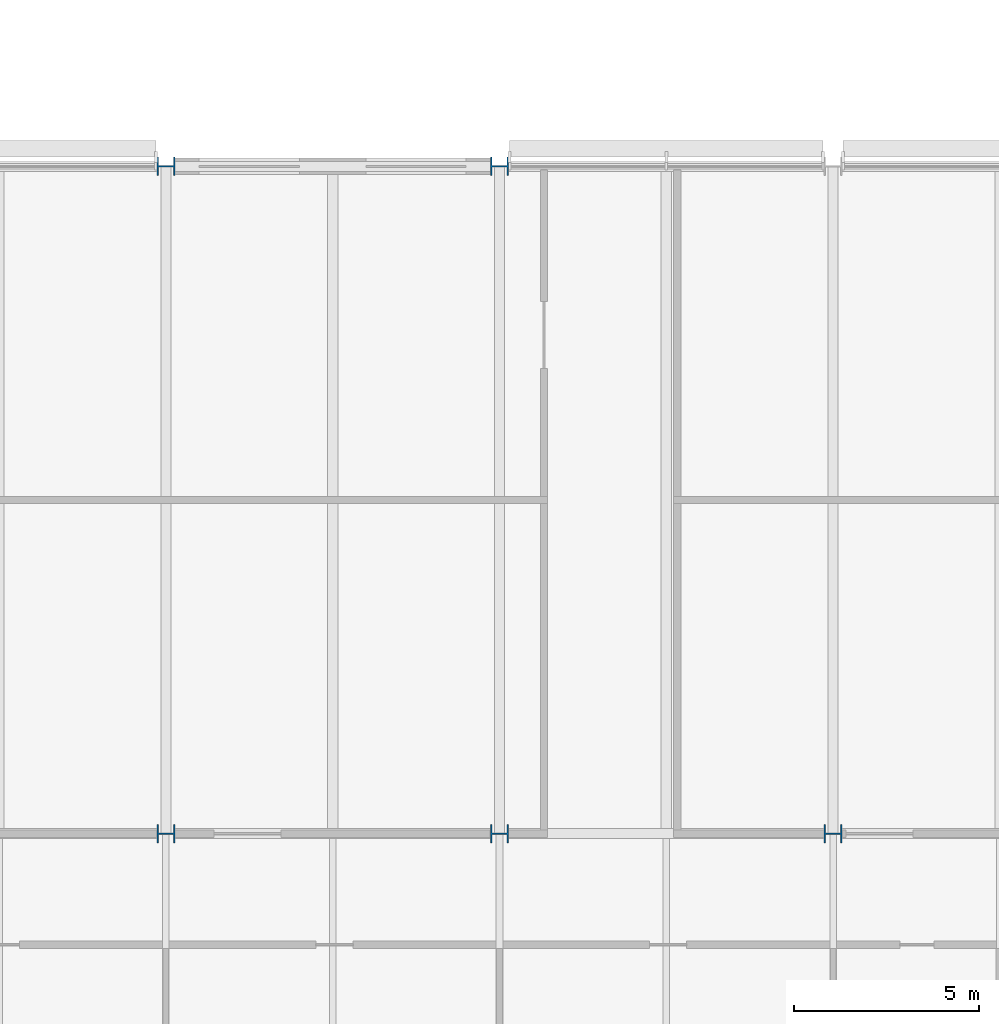
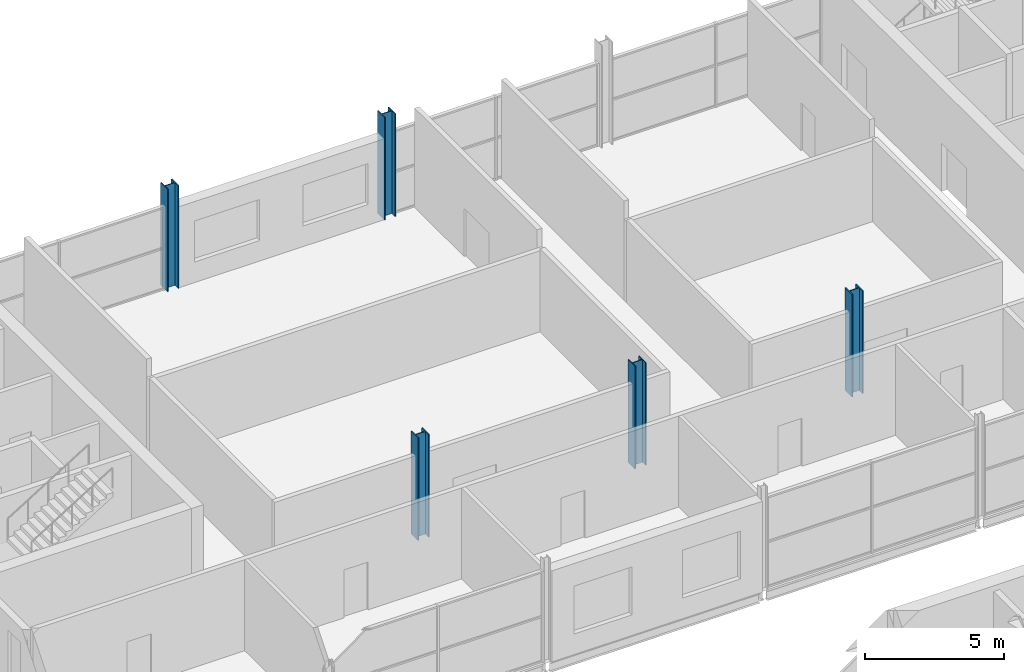
# One storey, part 14 of 97: 5 columns.
"""IFC4 building model written with IfcOpenShell, lengths in metres."""

from ifc_helpers import new_model, si_unit, direction, frame, origin, origin_2d, place, context, subcontext, project, spatial, i_section, extrude, material, material_profile, profile_set, type_object, element, save


model = new_model("IFC4")

# Units and contexts
model_context = context("Model", 3, precision=1e-05, world=origin(), true_north=direction((0.0, 1.0)))
body_context = subcontext(model_context, "Body", "Model", "MODEL_VIEW")
ifc_project = project(units=[si_unit("LENGTHUNIT", "METRE"), si_unit("AREAUNIT", "SQUARE_METRE"), si_unit("VOLUMEUNIT", "CUBIC_METRE"), si_unit("PLANEANGLEUNIT", "RADIAN"), si_unit("MASSUNIT", "GRAM", prefix="KILO")], contexts=[model_context])

# Site, building, storey
site_placement = place(None, origin())
site = spatial("IfcSite", under=ifc_project, at=site_placement, CompositionType="ELEMENT")
building_placement = place(site_placement, origin())
building = spatial("IfcBuilding", under=site, at=building_placement, Name="Corbel Yard City Hall", CompositionType="ELEMENT")
storey_placement = place(building_placement, frame((0.0, 0.0, 6.0)))
storey = spatial("IfcBuildingStorey", under=building, at=storey_placement, Name="L01", CompositionType="ELEMENT", Elevation=6.0)

# Columns
ifc_material = material(Name="Steel Grade 350", Category="steel")
ifc_material_profile = material_profile(ifc_material, i_section(OverallWidth=0.5, OverallDepth=0.47998046875, WebThickness=0.0400390625, FlangeThickness=0.0400390625, at=origin_2d()), Name="500WC440")
ifc_profile_set = profile_set([ifc_material_profile], Name="Steel Grade 350")
column_type = type_object("IfcColumnType", Name="Column 500WC440", PredefinedType="COLUMN", material=ifc_profile_set)
for number, where, z_axis, x_axis, name in (
    (1, (18.0, 99.0, 0.0), (0.0, 0.0, 1.0), (0.0, 1.0, 0.0), "Column 500WC440 L/3 L01"),
    (2, (18.0, 117.0, 0.0), (0.0, 0.0, 1.0), (0.0, 1.0, 0.0), "Column 500WC440 N/3 L01"),
    (3, (27.0, 99.0, 0.0), (0.0, 0.0, 1.0), (0.0, 1.0, 0.0), "Column 500WC440 L/4 L01"),
    (4, (27.0, 117.0, 0.0), (0.0, 0.0, 1.0), (0.0, 1.0, 0.0), "Column 500WC440 N/4 L01"),
    (5, (36.0, 99.0, 0.0), (0.0, 0.0, 1.0), (0.0, 1.0, 0.0), "Column 500WC440 L/5 L01"),
):
    element("IfcColumn", number, at=place(storey_placement, frame(where, z_axis=z_axis, x_axis=x_axis)), inside=storey, type_object=column_type, Name=name, PredefinedType="COLUMN", context=body_context, shape_type="SweptSolid", body=[
        extrude(i_section(OverallWidth=0.5, OverallDepth=0.47998046875, WebThickness=0.0400390625, FlangeThickness=0.0400390625, at=origin_2d()), origin(), (0.0, 0.0, 1.0), 4.5),
    ])

save(model, "model.ifc")
